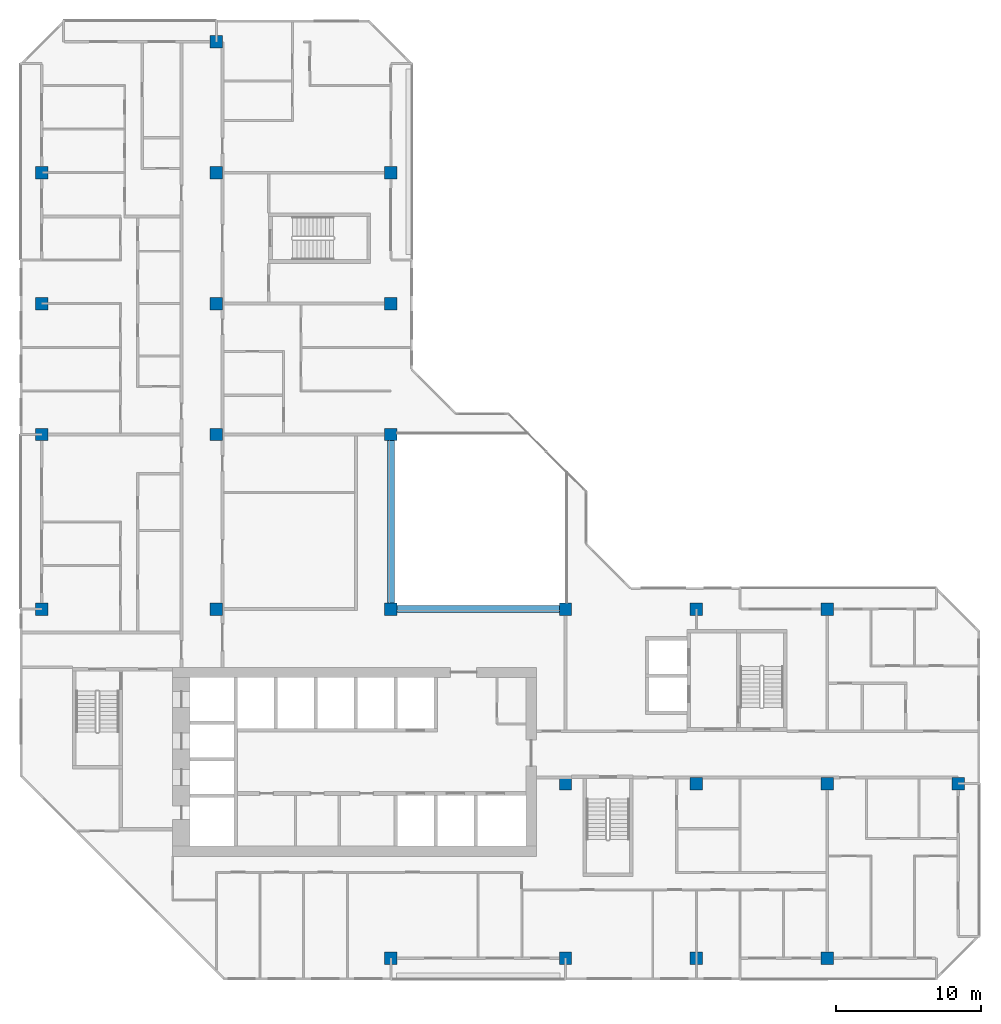
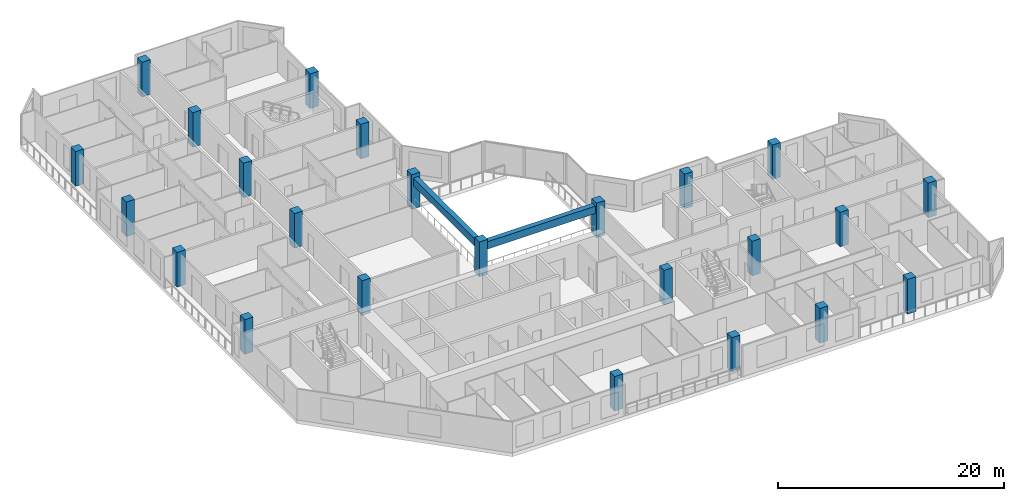
# One storey, part 1 of 16: 24 columns, 2 beams.
"""IFC4 building model written with IfcOpenShell, lengths in metres."""

from ifc_helpers import new_model, si_unit, direction, frame, origin, origin_2d, place, context, subcontext, project, spatial, rectangle, extrude, material, material_profile, profile_set, type_object, element, save


model = new_model("IFC4")

# Units and contexts
model_context = context("Model", 3, precision=1e-05, world=origin(), true_north=direction((0.0, 1.0)))
body_context = subcontext(model_context, "Body", "Model", "MODEL_VIEW")
ifc_project = project(units=[si_unit("LENGTHUNIT", "METRE"), si_unit("AREAUNIT", "SQUARE_METRE"), si_unit("VOLUMEUNIT", "CUBIC_METRE"), si_unit("PLANEANGLEUNIT", "RADIAN"), si_unit("MASSUNIT", "GRAM", prefix="KILO")], contexts=[model_context])

# Site, building, storey
site_placement = place(None, origin())
site = spatial("IfcSite", under=ifc_project, at=site_placement, CompositionType="ELEMENT")
building_placement = place(site_placement, origin())
building = spatial("IfcBuilding", under=site, at=building_placement, Name="Chenar Terraces", CompositionType="ELEMENT")
storey_placement = place(building_placement, frame((0.0, 0.0, 222.89990234375)))
storey = spatial("IfcBuildingStorey", under=building, at=storey_placement, Name="L52", CompositionType="ELEMENT", Elevation=222.89990234375)

# Columns
ifc_material_1 = material(Name="Concrete C60/75", Category="concrete")
ifc_material_profile_1 = material_profile(ifc_material_1, rectangle(XDim=0.85009765625, YDim=0.85009765625, at=origin_2d()), Name="C 850 x 850")
ifc_profile_set_1 = profile_set([ifc_material_profile_1], Name="Concrete C60/75")
column_type = type_object("IfcColumnType", Name="Column C 850 x 850 Concrete C60/75", PredefinedType="COLUMN", material=ifc_profile_set_1)
column_1_placement = place(storey_placement, frame((0.0, 24.0, 0.0), z_axis=(0.0, 0.0, 1.0), x_axis=(1.0, 0.0, 0.0)))
element("IfcColumn", 1, at=column_1_placement, inside=storey, type_object=column_type, Name="Column 5/G L52", PredefinedType="COLUMN", context=body_context, shape_type="SweptSolid", body=[
    extrude(rectangle(XDim=0.85009765625, YDim=0.85009765625, at=origin_2d()), origin(), (0.0, 0.0, 1.0), 3.75),
])
column_2_placement = place(storey_placement, frame((0.0, 36.0, 0.0), z_axis=(0.0, 0.0, 1.0), x_axis=(1.0, 0.0, 0.0)))
element("IfcColumn", 2, at=column_2_placement, inside=storey, type_object=column_type, Name="Column 5/H L52", PredefinedType="COLUMN", context=body_context, shape_type="SweptSolid", body=[
    extrude(rectangle(XDim=0.85009765625, YDim=0.85009765625, at=origin_2d()), origin(), (0.0, 0.0, 1.0), 3.75),
])
column_3_placement = place(storey_placement, frame((0.0, 45.0, 0.0), z_axis=(0.0, 0.0, 1.0), x_axis=(1.0, 0.0, 0.0)))
element("IfcColumn", 3, at=column_3_placement, inside=storey, type_object=column_type, Name="Column 5/J L52", PredefinedType="COLUMN", context=body_context, shape_type="SweptSolid", body=[
    extrude(rectangle(XDim=0.85009765625, YDim=0.85009765625, at=origin_2d()), origin(), (0.0, 0.0, 1.0), 3.75),
])
for number, where, z_axis, x_axis, name in (
    (4, (0.0, 54.0, 0.0), (0.0, 0.0, 1.0), (1.0, 0.0, 0.0), "Column 5/K L52"),
    (5, (12.0, 24.0, 0.0), (0.0, 0.0, 1.0), (1.0, 0.0, 0.0), "Column 6/G L52"),
    (6, (12.0, 36.0, 0.0), (0.0, 0.0, 1.0), (1.0, 0.0, 0.0), "Column 6/H L52"),
    (7, (12.0, 45.0, 0.0), (0.0, 0.0, 1.0), (1.0, 0.0, 0.0), "Column 6/J L52"),
    (8, (12.0, 54.0, 0.0), (0.0, 0.0, 1.0), (1.0, 0.0, 0.0), "Column 6/K L52"),
    (9, (12.0, 63.0, 0.0), (0.0, 0.0, 1.0), (1.0, 0.0, 0.0), "Column 6/L L52"),
    (10, (24.0, 0.0, 0.0), (0.0, 0.0, 1.0), (1.0, 0.0, 0.0), "Column 7/E L52"),
    (11, (24.0, 24.0, 0.0), (0.0, 0.0, 1.0), (1.0, 0.0, 0.0), "Column 7/G L52"),
    (12, (24.0, 36.0, 0.0), (0.0, 0.0, 1.0), (1.0, 0.0, 0.0), "Column 7/H L52"),
    (13, (24.0, 45.0, 0.0), (0.0, 0.0, 1.0), (1.0, 0.0, 0.0), "Column 7/J L52"),
    (14, (24.0, 54.0, 0.0), (0.0, 0.0, 1.0), (1.0, 0.0, 0.0), "Column 7/K L52"),
    (15, (36.0, 0.0, 0.0), (0.0, 0.0, 1.0), (1.0, 0.0, 0.0), "Column 8/E L52"),
    (16, (36.0, 12.0, 0.0), (0.0, 0.0, 1.0), (1.0, 0.0, 0.0), "Column 8/F L52"),
    (17, (36.0, 24.0, 0.0), (0.0, 0.0, 1.0), (1.0, 0.0, 0.0), "Column 8/G L52"),
    (18, (45.0, 0.0, 0.0), (0.0, 0.0, 1.0), (1.0, 0.0, 0.0), "Column 9/E L52"),
    (19, (45.0, 12.0, 0.0), (0.0, 0.0, 1.0), (1.0, 0.0, 0.0), "Column 9/F L52"),
    (20, (45.0, 24.0, 0.0), (0.0, 0.0, 1.0), (1.0, 0.0, 0.0), "Column 9/G L52"),
    (21, (54.0, 0.0, 0.0), (0.0, 0.0, 1.0), (1.0, 0.0, 0.0), "Column 10/E L52"),
    (22, (54.0, 12.0, 0.0), (0.0, 0.0, 1.0), (1.0, 0.0, 0.0), "Column 10/F L52"),
    (23, (54.0, 24.0, 0.0), (0.0, 0.0, 1.0), (1.0, 0.0, 0.0), "Column 10/G L52"),
    (24, (63.0, 12.0, 0.0), (0.0, 0.0, 1.0), (1.0, 0.0, 0.0), "Column 11/F L52"),
):
    element("IfcColumn", number, at=place(storey_placement, frame(where, z_axis=z_axis, x_axis=x_axis)), inside=storey, type_object=column_type, Name=name, PredefinedType="COLUMN", context=body_context, shape_type="SweptSolid", body=[
        extrude(rectangle(XDim=0.85009765625, YDim=0.85009765625, at=origin_2d()), origin(), (0.0, 0.0, 1.0), 3.75),
    ])

# Beams
ifc_material_2 = material(Name="Concrete C40/50", Category="concrete")
ifc_material_profile_2 = material_profile(ifc_material_2, rectangle(XDim=0.5, YDim=0.800048828125, at=origin_2d()), Name="RC 500 x 800")
ifc_profile_set_2 = profile_set([ifc_material_profile_2], Name="Concrete C40/50")
beam_type = type_object("IfcBeamType", Name="Atrium edge beam 500 x 800 Concrete C40/50", PredefinedType="BEAM", material=ifc_profile_set_2)
for number, where, z_axis, x_axis, name in (
    (25, (24.425048828125, 24.0, 2.9501953125), (1.0, 0.0, 0.0), (0.0, 1.0, 0.0), "Atrium edge beam L53 1"),
    (26, (24.0, 35.574951171875, 2.9501953125), (0.0, -1.0, 0.0), (1.0, 0.0, 0.0), "Atrium edge beam L53 4"),
):
    element("IfcBeam", number, at=place(storey_placement, frame(where, z_axis=z_axis, x_axis=x_axis)), inside=storey, type_object=beam_type, Name=name, PredefinedType="BEAM", context=body_context, shape_type="SweptSolid", body=[
        extrude(rectangle(XDim=0.5, YDim=0.800048828125, at=origin_2d()), origin(), (0.0, 0.0, 1.0), 11.14990234375),
    ])

save(model, "model.ifc")
